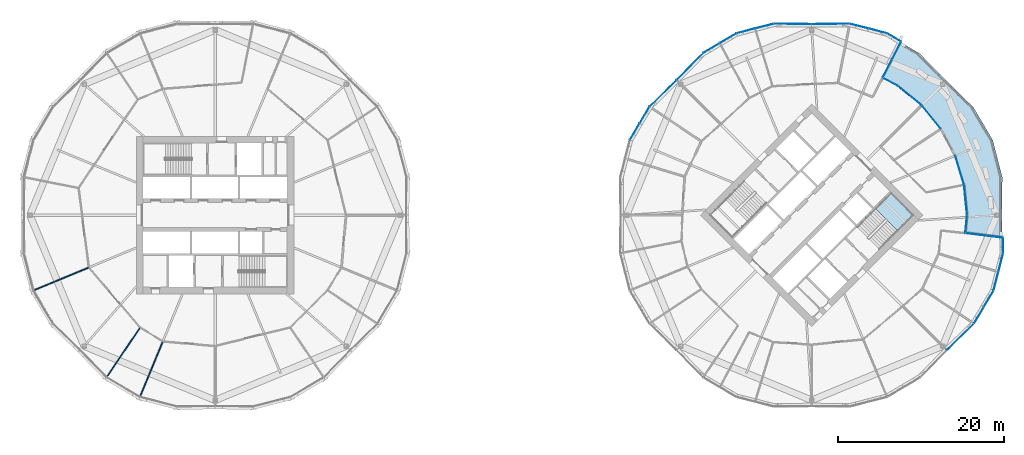
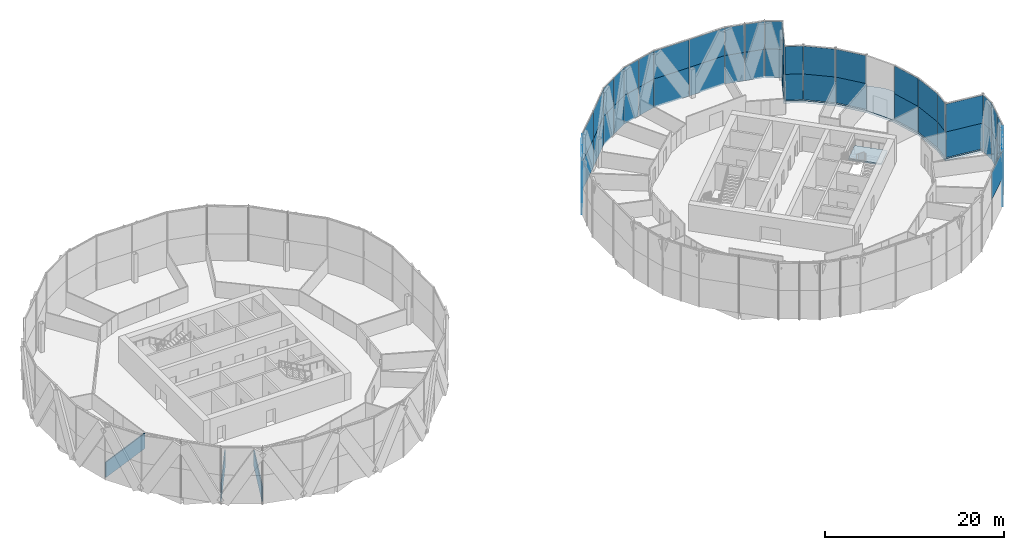
# One storey, part 18 of 27: 55 plates, 3 walls, 2 slabs, 10 elements without a shape of their own.
"""IFC4 building model written with IfcOpenShell, lengths in metres."""

from ifc_helpers import new_model, si_unit, direction, frame, frame_2d, origin, origin_2d, place, context, subcontext, project, spatial, polyline, rectangle, outline, extrude, material, layer, layer_set, type_object, element, aggregate, save


model = new_model("IFC4")

# Units and contexts
model_context = context("Model", 3, precision=1e-05, world=origin(), true_north=direction((0.0, 1.0)))
body_context = subcontext(model_context, "Body", "Model", "MODEL_VIEW")
ifc_project = project(units=[si_unit("LENGTHUNIT", "METRE"), si_unit("AREAUNIT", "SQUARE_METRE"), si_unit("VOLUMEUNIT", "CUBIC_METRE"), si_unit("PLANEANGLEUNIT", "RADIAN"), si_unit("MASSUNIT", "GRAM", prefix="KILO")], contexts=[model_context])

# Site, building, storey
site_placement = place(None, origin())
site = spatial("IfcSite", under=ifc_project, at=site_placement, CompositionType="ELEMENT")
building_placement = place(site_placement, origin())
building = spatial("IfcBuilding", under=site, at=building_placement, Name="Ogive Gate Towers", CompositionType="ELEMENT")
storey_placement = place(building_placement, frame((0.0, 0.0, 123.0)))
storey = spatial("IfcBuildingStorey", under=building, at=storey_placement, Name="L29", CompositionType="ELEMENT", Elevation=123.0)

# Curtain wall, plates
ifc_material_1 = material(Name="Pale metal aluminium", Category="aluminium")
curtain_wall_type_1 = type_object("IfcCurtainWallType", Name="Sky garden glazing", PredefinedType="NOTDEFINED", material=ifc_material_1)
curtain_wall_1_placement = place(storey_placement, origin())
curtain_wall_1 = element("IfcCurtainWall", 1, at=curtain_wall_1_placement, inside=storey, type_object=curtain_wall_type_1, Name="CW4 T2 ECW01", PredefinedType="NOTDEFINED")
ifc_material_2 = material(Name="Clear glass", Category="glass")
ifc_layer_1 = layer(ifc_material_2, 0.028076171875)
ifc_layer_set_1 = layer_set([ifc_layer_1], Name="Sky garden glazing glass panel")
plate_type_1 = type_object("IfcPlateType", Name="Sky garden glazing glass panel", PredefinedType="CURTAIN_PANEL", material=ifc_layer_set_1)
plate_1_placement = place(storey_placement, frame((50.424560546875, 11.837890625, 0.095947265625), z_axis=(0.0, 0.0, 1.0), x_axis=(0.634393284164, -0.773010453363, 0.0)))
plate_1 = element("IfcPlate", 2, at=plate_1_placement, type_object=plate_type_1, Name="CW4 glass panel", PredefinedType="CURTAIN_PANEL", context=body_context, shape_type="SweptSolid", body=[
    extrude(rectangle(XDim=3.6318359375, YDim=0.028076171875, at=origin_2d()), origin(), (0.0, 0.0, 1.0), 3.50390625),
])
plate_2_placement = place(storey_placement, frame((50.424560546875, 11.837890625, 3.60009765625), z_axis=(0.0, 0.0, 1.0), x_axis=(0.634393284164, -0.773010453363, 0.0)))
plate_2 = element("IfcPlate", 3, at=plate_2_placement, type_object=plate_type_1, Name="CW4 glass panel", PredefinedType="CURTAIN_PANEL", context=body_context, shape_type="SweptSolid", body=[
    extrude(rectangle(XDim=3.6318359375, YDim=0.028076171875, at=origin_2d()), origin(), (0.0, 0.0, 1.0), 3.803955078125),
])
aggregate(curtain_wall_1, [plate_1, plate_2])

curtain_wall_2_placement = place(storey_placement, origin())
curtain_wall_2 = element("IfcCurtainWall", 4, at=curtain_wall_2_placement, inside=storey, type_object=curtain_wall_type_1, Name="CW4 T2 ECW01b", PredefinedType="NOTDEFINED")
plate_3_placement = place(storey_placement, frame((53.856201171875, 5.41845703125, 0.095947265625), z_axis=(0.0, 0.0, 1.0), x_axis=(0.290284677254, -0.956940335732, 0.0)))
plate_3 = element("IfcPlate", 5, at=plate_3_placement, type_object=plate_type_1, Name="CW4 glass panel", PredefinedType="CURTAIN_PANEL", context=body_context, shape_type="SweptSolid", body=[
    extrude(rectangle(XDim=3.62841796875, YDim=0.028076171875, at=origin_2d()), origin(), (0.0, 0.0, 1.0), 3.50390625),
])
plate_4_placement = place(storey_placement, frame((53.856201171875, 5.41845703125, 3.60009765625), z_axis=(0.0, 0.0, 1.0), x_axis=(0.290284677254, -0.956940335732, 0.0)))
plate_4 = element("IfcPlate", 6, at=plate_4_placement, type_object=plate_type_1, Name="CW4 glass panel", PredefinedType="CURTAIN_PANEL", context=body_context, shape_type="SweptSolid", body=[
    extrude(rectangle(XDim=3.62841796875, YDim=0.028076171875, at=origin_2d()), origin(), (0.0, 0.0, 1.0), 3.803955078125),
])
plate_5_placement = place(storey_placement, frame((54.570556640625, 1.827392578125, 0.095947265625), z_axis=(0.0, 0.0, 1.0), x_axis=(0.09801714033, -0.995184726672, 0.0)))
plate_5 = element("IfcPlate", 7, at=plate_5_placement, type_object=plate_type_1, Name="CW4 glass panel", PredefinedType="CURTAIN_PANEL", context=body_context, shape_type="SweptSolid", body=[
    extrude(rectangle(XDim=3.62841796875, YDim=0.028076171875, at=origin_2d()), origin(), (0.0, 0.0, 1.0), 3.50390625),
])
plate_6_placement = place(storey_placement, frame((54.570556640625, 1.827392578125, 3.60009765625), z_axis=(0.0, 0.0, 1.0), x_axis=(0.09801714033, -0.995184726672, 0.0)))
plate_6 = element("IfcPlate", 8, at=plate_6_placement, type_object=plate_type_1, Name="CW4 glass panel", PredefinedType="CURTAIN_PANEL", context=body_context, shape_type="SweptSolid", body=[
    extrude(rectangle(XDim=3.62841796875, YDim=0.028076171875, at=origin_2d()), origin(), (0.0, 0.0, 1.0), 3.803955078125),
])
aggregate(curtain_wall_2, [plate_3, plate_4, plate_5, plate_6])

curtain_wall_3_placement = place(storey_placement, origin())
curtain_wall_3 = element("IfcCurtainWall", 9, at=curtain_wall_3_placement, inside=storey, type_object=curtain_wall_type_1, Name="CW4 T2 ECW02", PredefinedType="NOTDEFINED")
plate_7_placement = place(storey_placement, frame((45.120361328125, 17.67919921875, 0.095947265625), z_axis=(0.0, 0.0, 1.0), x_axis=(-0.45399049974, -0.891006524188, 0.0)))
plate_7 = element("IfcPlate", 10, at=plate_7_placement, type_object=plate_type_1, Name="CW4 glass panel", PredefinedType="CURTAIN_PANEL", context=body_context, shape_type="SweptSolid", body=[
    extrude(rectangle(XDim=2.38671875, YDim=0.028076171875, at=origin_2d()), origin(), (0.0, 0.0, 1.0), 3.50390625),
])
plate_8_placement = place(storey_placement, frame((45.120361328125, 17.67919921875, 3.60009765625), z_axis=(0.0, 0.0, 1.0), x_axis=(-0.45399049974, -0.891006524188, 0.0)))
plate_8 = element("IfcPlate", 11, at=plate_8_placement, type_object=plate_type_1, Name="CW4 glass panel", PredefinedType="CURTAIN_PANEL", context=body_context, shape_type="SweptSolid", body=[
    extrude(rectangle(XDim=2.38671875, YDim=0.028076171875, at=origin_2d()), origin(), (0.0, 0.0, 1.0), 3.803955078125),
])
plate_9_placement = place(storey_placement, frame((45.49462890625, 16.08349609375, 0.095947265625), z_axis=(0.0, 0.0, 1.0), x_axis=(0.881929491639, -0.471381344324, 0.0)))
plate_9 = element("IfcPlate", 12, at=plate_9_placement, type_object=plate_type_1, Name="CW4 glass panel", PredefinedType="CURTAIN_PANEL", context=body_context, shape_type="SweptSolid", body=[
    extrude(rectangle(XDim=2.041015625, YDim=0.028076171875, at=origin_2d()), origin(), (0.0, 0.0, 1.0), 3.50390625),
])
plate_10_placement = place(storey_placement, frame((45.49462890625, 16.08349609375, 3.60009765625), z_axis=(0.0, 0.0, 1.0), x_axis=(0.881929491639, -0.471381344324, 0.0)))
plate_10 = element("IfcPlate", 13, at=plate_10_placement, type_object=plate_type_1, Name="CW4 glass panel", PredefinedType="CURTAIN_PANEL", context=body_context, shape_type="SweptSolid", body=[
    extrude(rectangle(XDim=2.041015625, YDim=0.028076171875, at=origin_2d()), origin(), (0.0, 0.0, 1.0), 3.803955078125),
])
plate_11_placement = place(storey_placement, frame((47.839111328125, 14.423583984375, 0.095947265625), z_axis=(0.0, 0.0, 1.0), x_axis=(0.773010453363, -0.634393284164, 0.0)))
plate_11 = element("IfcPlate", 14, at=plate_11_placement, type_object=plate_type_1, Name="CW4 glass panel", PredefinedType="CURTAIN_PANEL", context=body_context, shape_type="SweptSolid", body=[
    extrude(rectangle(XDim=3.62841796875, YDim=0.028076171875, at=origin_2d()), origin(), (0.0, 0.0, 1.0), 3.50390625),
])
plate_12_placement = place(storey_placement, frame((47.839111328125, 14.423583984375, 3.60009765625), z_axis=(0.0, 0.0, 1.0), x_axis=(0.773010453363, -0.634393284164, 0.0)))
plate_12 = element("IfcPlate", 15, at=plate_12_placement, type_object=plate_type_1, Name="CW4 glass panel", PredefinedType="CURTAIN_PANEL", context=body_context, shape_type="SweptSolid", body=[
    extrude(rectangle(XDim=3.62841796875, YDim=0.028076171875, at=origin_2d()), origin(), (0.0, 0.0, 1.0), 3.803955078125),
])
aggregate(curtain_wall_3, [plate_7, plate_8, plate_9, plate_10, plate_11, plate_12])

curtain_wall_4_placement = place(storey_placement, origin())
curtain_wall_4 = element("IfcCurtainWall", 16, at=curtain_wall_4_placement, inside=storey, type_object=curtain_wall_type_1, Name="CW4 T2 ECW03", PredefinedType="NOTDEFINED")
plate_13_placement = place(storey_placement, frame((54.64404296875, -1.079833984375, 0.095947265625), z_axis=(0.0, 0.0, 1.0), x_axis=(-0.09805187877, -0.995181304622, 0.0)))
plate_13 = element("IfcPlate", 17, at=plate_13_placement, type_object=plate_type_1, Name="CW4 glass panel", PredefinedType="CURTAIN_PANEL", context=body_context, shape_type="SweptSolid", body=[
    extrude(rectangle(XDim=2.126220703125, YDim=0.028076171875, at=origin_2d()), origin(), (0.0, 0.0, 1.0), 3.50390625),
])
plate_14_placement = place(storey_placement, frame((54.64404296875, -1.079833984375, 3.60009765625), z_axis=(0.0, 0.0, 1.0), x_axis=(-0.09805187877, -0.995181304622, 0.0)))
plate_14 = element("IfcPlate", 18, at=plate_14_placement, type_object=plate_type_1, Name="CW4 glass panel", PredefinedType="CURTAIN_PANEL", context=body_context, shape_type="SweptSolid", body=[
    extrude(rectangle(XDim=2.126220703125, YDim=0.028076171875, at=origin_2d()), origin(), (0.0, 0.0, 1.0), 3.803955078125),
])
plate_15_placement = place(storey_placement, frame((56.815673828125, -2.455078125, 0.095947265625), z_axis=(0.0, 0.0, 1.0), x_axis=(0.992544024469, -0.121886666585, 0.0)))
plate_15 = element("IfcPlate", 19, at=plate_15_placement, type_object=plate_type_1, Name="CW4 glass panel", PredefinedType="CURTAIN_PANEL", context=body_context, shape_type="SweptSolid", body=[
    extrude(rectangle(XDim=4.517822265625, YDim=0.028076171875, at=origin_2d()), origin(), (0.0, 0.0, 1.0), 3.50390625),
])
plate_16_placement = place(storey_placement, frame((56.815673828125, -2.455078125, 3.60009765625), z_axis=(0.0, 0.0, 1.0), x_axis=(0.992544024469, -0.121886666585, 0.0)))
plate_16 = element("IfcPlate", 20, at=plate_16_placement, type_object=plate_type_1, Name="CW4 glass panel", PredefinedType="CURTAIN_PANEL", context=body_context, shape_type="SweptSolid", body=[
    extrude(rectangle(XDim=4.517822265625, YDim=0.028076171875, at=origin_2d()), origin(), (0.0, 0.0, 1.0), 3.803955078125),
])
aggregate(curtain_wall_4, [plate_13, plate_14, plate_15, plate_16])

# Stair, slab
ifc_material_3 = material(Name="Concrete C40/50", Category="concrete")
stair_type = type_object("IfcStairType", Name="Escape stair 1840 wide", PredefinedType="HALF_TURN_STAIR", material=ifc_material_3)
stair_placement = place(storey_placement, origin())
stair = element("IfcStair", 21, at=stair_placement, inside=storey, type_object=stair_type, Name="L29 Escape stair 2", PredefinedType="HALF_TURN_STAIR")
ifc_layer_2 = layer(ifc_material_3, 0.199951171875)
ifc_layer_set_2 = layer_set([ifc_layer_2], Name="Stair landing 200 mm")
slab_type_1 = type_object("IfcSlabType", Name="Stair landing 200 mm", PredefinedType="LANDING", material=ifc_layer_set_2)
slab_1_placement = place(storey_placement, frame((0.0, 0.0, 1.75)))
slab_1 = element("IfcSlab", 22, at=slab_1_placement, type_object=slab_type_1, Name="ST2 landing 1", PredefinedType="LANDING", context=body_context, shape_type="SweptSolid", body=[
    extrude(outline(polyline([(46.3955078125, -1.908203125), (48.3037109375, 0.0), (45.598876953125, 2.70458984375), (43.690673828125, 0.79638671875), (46.3955078125, -1.908203125)])), origin(), (0.0, 0.0, 1.0), 0.199951171875),
])
aggregate(stair, [slab_1])

# Slab
ifc_material_4 = material(Name="Concrete C35/45", Category="concrete")
ifc_layer_3 = layer(ifc_material_4, 0.300048828125)
ifc_layer_set_3 = layer_set([ifc_layer_3], Name="Terrace slab 300")
slab_type_2 = type_object("IfcSlabType", Name="Terrace slab 300", PredefinedType="FLOOR", material=ifc_layer_set_3)
slab_2_placement = place(storey_placement, frame((0.0, 0.0, -0.300048828125)))
element("IfcSlab", 23, at=slab_2_placement, inside=storey, type_object=slab_type_2, Name="T2/L29/SSL002", PredefinedType="FLOOR", context=body_context, shape_type="SweptSolid", body=[
    extrude(outline(polyline([(54.42724609375, -2.262451171875), (58.98046875, -2.821533203125), (58.949951171875, 0.0), (58.99951171875, 4.574951171875), (57.849853515625, 9.050537109375), (55.498046875, 13.028076171875), (52.22802734375, 16.22802734375), (49.028076171875, 19.498046875), (46.65087890625, 20.903564453125), (44.427734375, 16.54052734375), (46.361328125, 15.5068359375), (49.1875, 13.1875), (51.5068359375, 10.361328125), (53.23046875, 7.136962890625), (54.291748046875, 3.638427734375), (54.64990234375, 0.0), (54.42724609375, -2.262451171875)])), origin(), (0.0, 0.0, 1.0), 0.300048828125),
])

# Curtain wall, plates
curtain_wall_type_2 = type_object("IfcCurtainWallType", Name="Tower unitised wall, low zone", PredefinedType="NOTDEFINED", material=ifc_material_1)
curtain_wall_5_placement = place(storey_placement, origin())
curtain_wall_5 = element("IfcCurtainWall", 24, at=curtain_wall_5_placement, inside=storey, type_object=curtain_wall_type_2, Name="CW1 T2 ECW04", PredefinedType="NOTDEFINED")
ifc_layer_4 = layer(ifc_material_2, 0.028076171875)
ifc_layer_set_4 = layer_set([ifc_layer_4], Name="Tower unitised wall, low zone glass panel")
plate_type_2 = type_object("IfcPlateType", Name="Tower unitised wall, low zone glass panel", PredefinedType="CURTAIN_PANEL", material=ifc_layer_set_4)
plate_17_placement = place(storey_placement, frame((38.29150390625, 23.07470703125, -0.300048828125), z_axis=(0.0, 0.0, 1.0), x_axis=(0.999941453103, 0.010820830182, 0.0)))
plate_17 = element("IfcPlate", 25, at=plate_17_placement, type_object=plate_type_2, Name="CW1 glass panel", PredefinedType="CURTAIN_PANEL", context=body_context, shape_type="SweptSolid", body=[
    extrude(rectangle(XDim=4.529296875, YDim=0.028076171875, at=origin_2d()), origin(), (0.0, 0.0, 1.0), 3.89990234375),
])
plate_18_placement = place(storey_placement, frame((38.29150390625, 23.07470703125, 3.60009765625), z_axis=(0.0, 0.0, 1.0), x_axis=(0.999941453103, 0.010820830182, 0.0)))
plate_18 = element("IfcPlate", 26, at=plate_18_placement, type_object=plate_type_2, Name="CW1 glass panel", PredefinedType="CURTAIN_PANEL", context=body_context, shape_type="SweptSolid", body=[
    extrude(rectangle(XDim=4.529296875, YDim=0.028076171875, at=origin_2d()), origin(), (0.0, 0.0, 1.0), 3.803955078125),
])
plate_19_placement = place(storey_placement, frame((41.71435546875, 22.81005859375, -0.300048828125), z_axis=(0.0, 0.0, 1.0), x_axis=(0.968548428028, -0.248825124462, 0.0)))
plate_19 = element("IfcPlate", 27, at=plate_19_placement, type_object=plate_type_2, Name="CW1 glass panel", PredefinedType="CURTAIN_PANEL", context=body_context, shape_type="SweptSolid", body=[
    extrude(rectangle(XDim=2.266357421875, YDim=0.028076171875, at=origin_2d()), origin(), (0.0, 0.0, 1.0), 3.89990234375),
])
plate_20_placement = place(storey_placement, frame((41.71435546875, 22.81005859375, 3.60009765625), z_axis=(0.0, 0.0, 1.0), x_axis=(0.968548428028, -0.248825124462, 0.0)))
plate_20 = element("IfcPlate", 28, at=plate_20_placement, type_object=plate_type_2, Name="CW1 glass panel", PredefinedType="CURTAIN_PANEL", context=body_context, shape_type="SweptSolid", body=[
    extrude(rectangle(XDim=2.266357421875, YDim=0.028076171875, at=origin_2d()), origin(), (0.0, 0.0, 1.0), 3.803955078125),
])
plate_21_placement = place(storey_placement, frame((43.961669921875, 22.232666015625, -0.300048828125), z_axis=(0.0, 0.0, 1.0), x_axis=(0.968561455154, -0.248774411044, 0.0)))
plate_21 = element("IfcPlate", 29, at=plate_21_placement, type_object=plate_type_2, Name="CW1 glass panel", PredefinedType="CURTAIN_PANEL", context=body_context, shape_type="SweptSolid", body=[
    extrude(rectangle(XDim=2.26611328125, YDim=0.028076171875, at=origin_2d()), origin(), (0.0, 0.0, 1.0), 3.89990234375),
])
plate_22_placement = place(storey_placement, frame((43.961669921875, 22.232666015625, 3.60009765625), z_axis=(0.0, 0.0, 1.0), x_axis=(0.968561455154, -0.248774411044, 0.0)))
plate_22 = element("IfcPlate", 30, at=plate_22_placement, type_object=plate_type_2, Name="CW1 glass panel", PredefinedType="CURTAIN_PANEL", context=body_context, shape_type="SweptSolid", body=[
    extrude(rectangle(XDim=2.26611328125, YDim=0.028076171875, at=origin_2d()), origin(), (0.0, 0.0, 1.0), 3.803955078125),
])
plate_23_placement = place(storey_placement, frame((45.930908203125, 21.4453125, -0.300048828125), z_axis=(0.0, 0.0, 1.0), x_axis=(0.860795328977, -0.508951276265, 0.0)))
plate_23 = element("IfcPlate", 31, at=plate_23_placement, type_object=plate_type_2, Name="CW1 glass panel", PredefinedType="CURTAIN_PANEL", context=body_context, shape_type="SweptSolid", body=[
    extrude(rectangle(XDim=1.894287109375, YDim=0.028076171875, at=origin_2d()), origin(), (0.0, 0.0, 1.0), 3.89990234375),
])
plate_24_placement = place(storey_placement, frame((45.930908203125, 21.4453125, 3.60009765625), z_axis=(0.0, 0.0, 1.0), x_axis=(0.860795328977, -0.508951276265, 0.0)))
plate_24 = element("IfcPlate", 32, at=plate_24_placement, type_object=plate_type_2, Name="CW1 glass panel", PredefinedType="CURTAIN_PANEL", context=body_context, shape_type="SweptSolid", body=[
    extrude(rectangle(XDim=1.894287109375, YDim=0.028076171875, at=origin_2d()), origin(), (0.0, 0.0, 1.0), 3.803955078125),
])
plate_25_placement = place(storey_placement, frame((46.223876953125, 19.84521484375, -0.300048828125), z_axis=(0.0, 0.0, 1.0), x_axis=(-0.45399049974, -0.891006524188, 0.0)))
plate_25 = element("IfcPlate", 33, at=plate_25_placement, type_object=plate_type_2, Name="CW1 glass panel", PredefinedType="CURTAIN_PANEL", context=body_context, shape_type="SweptSolid", body=[
    extrude(rectangle(XDim=2.377197265625, YDim=0.028076171875, at=origin_2d()), origin(), (0.0, 0.0, 1.0), 3.89990234375),
])
plate_26_placement = place(storey_placement, frame((46.223876953125, 19.84521484375, 3.60009765625), z_axis=(0.0, 0.0, 1.0), x_axis=(-0.45399049974, -0.891006524188, 0.0)))
plate_26 = element("IfcPlate", 34, at=plate_26_placement, type_object=plate_type_2, Name="CW1 glass panel", PredefinedType="CURTAIN_PANEL", context=body_context, shape_type="SweptSolid", body=[
    extrude(rectangle(XDim=2.377197265625, YDim=0.028076171875, at=origin_2d()), origin(), (0.0, 0.0, 1.0), 3.803955078125),
])
aggregate(curtain_wall_5, [plate_17, plate_18, plate_19, plate_20, plate_21, plate_22, plate_23, plate_24, plate_25, plate_26])

curtain_wall_6_placement = place(storey_placement, origin())
curtain_wall_6 = element("IfcCurtainWall", 35, at=curtain_wall_6_placement, inside=storey, type_object=curtain_wall_type_2, Name="CW1 T2 ECW05", PredefinedType="NOTDEFINED")
plate_27_placement = place(storey_placement, frame((21.30419921875, 17.936767578125, -0.300048828125), z_axis=(0.0, 0.0, 1.0), x_axis=(0.699426373935, 0.714704657494, 0.0)))
plate_27 = element("IfcPlate", 36, at=plate_27_placement, type_object=plate_type_2, Name="CW1 glass panel", PredefinedType="CURTAIN_PANEL", context=body_context, shape_type="SweptSolid", body=[
    extrude(rectangle(XDim=4.529296875, YDim=0.028076171875, at=origin_2d()), origin(), (0.0, 0.0, 1.0), 3.89990234375),
])
plate_28_placement = place(storey_placement, frame((21.30419921875, 17.936767578125, 3.60009765625), z_axis=(0.0, 0.0, 1.0), x_axis=(0.699426373935, 0.714704657494, 0.0)))
plate_28 = element("IfcPlate", 37, at=plate_28_placement, type_object=plate_type_2, Name="CW1 glass panel", PredefinedType="CURTAIN_PANEL", context=body_context, shape_type="SweptSolid", body=[
    extrude(rectangle(XDim=4.529296875, YDim=0.028076171875, at=origin_2d()), origin(), (0.0, 0.0, 1.0), 3.803955078125),
])
plate_29_placement = place(storey_placement, frame((23.91162109375, 20.169677734375, -0.300048828125), z_axis=(0.0, 0.0, 1.0), x_axis=(0.860804211721, 0.508936252475, 0.0)))
plate_29 = element("IfcPlate", 38, at=plate_29_placement, type_object=plate_type_2, Name="CW1 glass panel", PredefinedType="CURTAIN_PANEL", context=body_context, shape_type="SweptSolid", body=[
    extrude(rectangle(XDim=2.266357421875, YDim=0.028076171875, at=origin_2d()), origin(), (0.0, 0.0, 1.0), 3.89990234375),
])
plate_30_placement = place(storey_placement, frame((23.91162109375, 20.169677734375, 3.60009765625), z_axis=(0.0, 0.0, 1.0), x_axis=(0.860804211721, 0.508936252475, 0.0)))
plate_30 = element("IfcPlate", 39, at=plate_30_placement, type_object=plate_type_2, Name="CW1 glass panel", PredefinedType="CURTAIN_PANEL", context=body_context, shape_type="SweptSolid", body=[
    extrude(rectangle(XDim=2.266357421875, YDim=0.028076171875, at=origin_2d()), origin(), (0.0, 0.0, 1.0), 3.803955078125),
])
plate_31_placement = place(storey_placement, frame((25.908935546875, 21.3505859375, -0.300048828125), z_axis=(0.0, 0.0, 1.0), x_axis=(0.86078644597, 0.5089662999, 0.0)))
plate_31 = element("IfcPlate", 40, at=plate_31_placement, type_object=plate_type_2, Name="CW1 glass panel", PredefinedType="CURTAIN_PANEL", context=body_context, shape_type="SweptSolid", body=[
    extrude(rectangle(XDim=2.26611328125, YDim=0.028076171875, at=origin_2d()), origin(), (0.0, 0.0, 1.0), 3.89990234375),
])
plate_32_placement = place(storey_placement, frame((25.908935546875, 21.3505859375, 3.60009765625), z_axis=(0.0, 0.0, 1.0), x_axis=(0.86078644597, 0.5089662999, 0.0)))
plate_32 = element("IfcPlate", 41, at=plate_32_placement, type_object=plate_type_2, Name="CW1 glass panel", PredefinedType="CURTAIN_PANEL", context=body_context, shape_type="SweptSolid", body=[
    extrude(rectangle(XDim=2.26611328125, YDim=0.028076171875, at=origin_2d()), origin(), (0.0, 0.0, 1.0), 3.803955078125),
])
plate_33_placement = place(storey_placement, frame((28.038330078125, 22.232666015625, -0.300048828125), z_axis=(0.0, 0.0, 1.0), x_axis=(0.968561455154, 0.248774411044, 0.0)))
plate_33 = element("IfcPlate", 42, at=plate_33_placement, type_object=plate_type_2, Name="CW1 glass panel", PredefinedType="CURTAIN_PANEL", context=body_context, shape_type="SweptSolid", body=[
    extrude(rectangle(XDim=2.26611328125, YDim=0.028076171875, at=origin_2d()), origin(), (0.0, 0.0, 1.0), 3.89990234375),
])
plate_34_placement = place(storey_placement, frame((28.038330078125, 22.232666015625, 3.60009765625), z_axis=(0.0, 0.0, 1.0), x_axis=(0.968561455154, 0.248774411044, 0.0)))
plate_34 = element("IfcPlate", 43, at=plate_34_placement, type_object=plate_type_2, Name="CW1 glass panel", PredefinedType="CURTAIN_PANEL", context=body_context, shape_type="SweptSolid", body=[
    extrude(rectangle(XDim=2.26611328125, YDim=0.028076171875, at=origin_2d()), origin(), (0.0, 0.0, 1.0), 3.803955078125),
])
plate_35_placement = place(storey_placement, frame((30.28564453125, 22.81005859375, -0.300048828125), z_axis=(0.0, 0.0, 1.0), x_axis=(0.968548428028, 0.248825124462, 0.0)))
plate_35 = element("IfcPlate", 44, at=plate_35_placement, type_object=plate_type_2, Name="CW1 glass panel", PredefinedType="CURTAIN_PANEL", context=body_context, shape_type="SweptSolid", body=[
    extrude(rectangle(XDim=2.266357421875, YDim=0.028076171875, at=origin_2d()), origin(), (0.0, 0.0, 1.0), 3.89990234375),
])
plate_36_placement = place(storey_placement, frame((30.28564453125, 22.81005859375, 3.60009765625), z_axis=(0.0, 0.0, 1.0), x_axis=(0.968548428028, 0.248825124462, 0.0)))
plate_36 = element("IfcPlate", 45, at=plate_36_placement, type_object=plate_type_2, Name="CW1 glass panel", PredefinedType="CURTAIN_PANEL", context=body_context, shape_type="SweptSolid", body=[
    extrude(rectangle(XDim=2.266357421875, YDim=0.028076171875, at=origin_2d()), origin(), (0.0, 0.0, 1.0), 3.803955078125),
])
plate_37_placement = place(storey_placement, frame((33.70849609375, 23.07470703125, -0.300048828125), z_axis=(0.0, 0.0, 1.0), x_axis=(0.999941453103, -0.010820830182, 0.0)))
plate_37 = element("IfcPlate", 46, at=plate_37_placement, type_object=plate_type_2, Name="CW1 glass panel", PredefinedType="CURTAIN_PANEL", context=body_context, shape_type="SweptSolid", body=[
    extrude(rectangle(XDim=4.529296875, YDim=0.028076171875, at=origin_2d()), origin(), (0.0, 0.0, 1.0), 3.89990234375),
])
plate_38_placement = place(storey_placement, frame((33.70849609375, 23.07470703125, 3.60009765625), z_axis=(0.0, 0.0, 1.0), x_axis=(0.999941453103, -0.010820830182, 0.0)))
plate_38 = element("IfcPlate", 47, at=plate_38_placement, type_object=plate_type_2, Name="CW1 glass panel", PredefinedType="CURTAIN_PANEL", context=body_context, shape_type="SweptSolid", body=[
    extrude(rectangle(XDim=4.529296875, YDim=0.028076171875, at=origin_2d()), origin(), (0.0, 0.0, 1.0), 3.803955078125),
])
aggregate(curtain_wall_6, [plate_27, plate_28, plate_29, plate_30, plate_31, plate_32, plate_33, plate_34, plate_35, plate_36, plate_37, plate_38])

curtain_wall_7_placement = place(storey_placement, origin())
curtain_wall_7 = element("IfcCurtainWall", 48, at=curtain_wall_7_placement, inside=storey, type_object=curtain_wall_type_2, Name="CW1 T2 ECW06", PredefinedType="NOTDEFINED")
plate_39_placement = place(storey_placement, frame((14.6494140625, 10.091064453125, -0.300048828125), z_axis=(0.0, 0.0, 1.0), x_axis=(0.5089662999, 0.86078644597, 0.0)))
plate_39 = element("IfcPlate", 49, at=plate_39_placement, type_object=plate_type_2, Name="CW1 glass panel", PredefinedType="CURTAIN_PANEL", context=body_context, shape_type="SweptSolid", body=[
    extrude(rectangle(XDim=2.26611328125, YDim=0.028076171875, at=origin_2d()), origin(), (0.0, 0.0, 1.0), 3.89990234375),
])
plate_40_placement = place(storey_placement, frame((14.6494140625, 10.091064453125, 3.60009765625), z_axis=(0.0, 0.0, 1.0), x_axis=(0.5089662999, 0.86078644597, 0.0)))
plate_40 = element("IfcPlate", 50, at=plate_40_placement, type_object=plate_type_2, Name="CW1 glass panel", PredefinedType="CURTAIN_PANEL", context=body_context, shape_type="SweptSolid", body=[
    extrude(rectangle(XDim=2.26611328125, YDim=0.028076171875, at=origin_2d()), origin(), (0.0, 0.0, 1.0), 3.803955078125),
])
plate_41_placement = place(storey_placement, frame((15.830322265625, 12.08837890625, -0.300048828125), z_axis=(0.0, 0.0, 1.0), x_axis=(0.508936252475, 0.860804211721, 0.0)))
plate_41 = element("IfcPlate", 51, at=plate_41_placement, type_object=plate_type_2, Name="CW1 glass panel", PredefinedType="CURTAIN_PANEL", context=body_context, shape_type="SweptSolid", body=[
    extrude(rectangle(XDim=2.266357421875, YDim=0.028076171875, at=origin_2d()), origin(), (0.0, 0.0, 1.0), 3.89990234375),
])
plate_42_placement = place(storey_placement, frame((15.830322265625, 12.08837890625, 3.60009765625), z_axis=(0.0, 0.0, 1.0), x_axis=(0.508936252475, 0.860804211721, 0.0)))
plate_42 = element("IfcPlate", 52, at=plate_42_placement, type_object=plate_type_2, Name="CW1 glass panel", PredefinedType="CURTAIN_PANEL", context=body_context, shape_type="SweptSolid", body=[
    extrude(rectangle(XDim=2.266357421875, YDim=0.028076171875, at=origin_2d()), origin(), (0.0, 0.0, 1.0), 3.803955078125),
])
plate_43_placement = place(storey_placement, frame((18.063232421875, 14.69580078125, -0.300048828125), z_axis=(0.0, 0.0, 1.0), x_axis=(0.714704657494, 0.699426373935, 0.0)))
plate_43 = element("IfcPlate", 53, at=plate_43_placement, type_object=plate_type_2, Name="CW1 glass panel", PredefinedType="CURTAIN_PANEL", context=body_context, shape_type="SweptSolid", body=[
    extrude(rectangle(XDim=4.529296875, YDim=0.028076171875, at=origin_2d()), origin(), (0.0, 0.0, 1.0), 3.89990234375),
])
plate_44_placement = place(storey_placement, frame((18.063232421875, 14.69580078125, 3.60009765625), z_axis=(0.0, 0.0, 1.0), x_axis=(0.714704657494, 0.699426373935, 0.0)))
plate_44 = element("IfcPlate", 54, at=plate_44_placement, type_object=plate_type_2, Name="CW1 glass panel", PredefinedType="CURTAIN_PANEL", context=body_context, shape_type="SweptSolid", body=[
    extrude(rectangle(XDim=4.529296875, YDim=0.028076171875, at=origin_2d()), origin(), (0.0, 0.0, 1.0), 3.803955078125),
])
aggregate(curtain_wall_7, [plate_39, plate_40, plate_41, plate_42, plate_43, plate_44])

curtain_wall_8_placement = place(storey_placement, origin())
curtain_wall_8 = element("IfcCurtainWall", 55, at=curtain_wall_8_placement, inside=storey, type_object=curtain_wall_type_2, Name="CW1 T2 ECW10", PredefinedType="NOTDEFINED")
plate_45_placement = place(storey_placement, frame((58.810546875, -5.71240234375, -0.300048828125), z_axis=(0.0, 0.0, 1.0), x_axis=(-0.248825124462, -0.968548428028, 0.0)))
plate_45 = element("IfcPlate", 56, at=plate_45_placement, type_object=plate_type_2, Name="CW1 glass panel", PredefinedType="CURTAIN_PANEL", context=body_context, shape_type="SweptSolid", body=[
    extrude(rectangle(XDim=2.27001953125, YDim=0.028076171875, at=origin_2d()), origin(), (0.0, 0.0, 1.0), 3.89990234375),
])
plate_46_placement = place(storey_placement, frame((58.810546875, -5.71240234375, 3.60009765625), z_axis=(0.0, 0.0, 1.0), x_axis=(-0.248825124462, -0.968548428028, 0.0)))
plate_46 = element("IfcPlate", 57, at=plate_46_placement, type_object=plate_type_2, Name="CW1 glass panel", PredefinedType="CURTAIN_PANEL", context=body_context, shape_type="SweptSolid", body=[
    extrude(rectangle(XDim=2.27001953125, YDim=0.028076171875, at=origin_2d()), origin(), (0.0, 0.0, 1.0), 3.803955078125),
])
plate_47_placement = place(storey_placement, frame((58.232666015625, -7.961669921875, -0.300048828125), z_axis=(0.0, 0.0, 1.0), x_axis=(-0.248774411044, -0.968561455154, 0.0)))
plate_47 = element("IfcPlate", 58, at=plate_47_placement, type_object=plate_type_2, Name="CW1 glass panel", PredefinedType="CURTAIN_PANEL", context=body_context, shape_type="SweptSolid", body=[
    extrude(rectangle(XDim=2.26611328125, YDim=0.028076171875, at=origin_2d()), origin(), (0.0, 0.0, 1.0), 3.89990234375),
])
plate_48_placement = place(storey_placement, frame((58.232666015625, -7.961669921875, 3.60009765625), z_axis=(0.0, 0.0, 1.0), x_axis=(-0.248774411044, -0.968561455154, 0.0)))
plate_48 = element("IfcPlate", 59, at=plate_48_placement, type_object=plate_type_2, Name="CW1 glass panel", PredefinedType="CURTAIN_PANEL", context=body_context, shape_type="SweptSolid", body=[
    extrude(rectangle(XDim=2.26611328125, YDim=0.028076171875, at=origin_2d()), origin(), (0.0, 0.0, 1.0), 3.803955078125),
])
plate_49_placement = place(storey_placement, frame((57.3505859375, -10.091064453125, -0.300048828125), z_axis=(0.0, 0.0, 1.0), x_axis=(-0.5089662999, -0.86078644597, 0.0)))
plate_49 = element("IfcPlate", 60, at=plate_49_placement, type_object=plate_type_2, Name="CW1 glass panel", PredefinedType="CURTAIN_PANEL", context=body_context, shape_type="SweptSolid", body=[
    extrude(rectangle(XDim=2.26611328125, YDim=0.028076171875, at=origin_2d()), origin(), (0.0, 0.0, 1.0), 3.89990234375),
])
plate_50_placement = place(storey_placement, frame((57.3505859375, -10.091064453125, 3.60009765625), z_axis=(0.0, 0.0, 1.0), x_axis=(-0.5089662999, -0.86078644597, 0.0)))
plate_50 = element("IfcPlate", 61, at=plate_50_placement, type_object=plate_type_2, Name="CW1 glass panel", PredefinedType="CURTAIN_PANEL", context=body_context, shape_type="SweptSolid", body=[
    extrude(rectangle(XDim=2.26611328125, YDim=0.028076171875, at=origin_2d()), origin(), (0.0, 0.0, 1.0), 3.803955078125),
])
plate_51_placement = place(storey_placement, frame((56.169677734375, -12.08837890625, -0.300048828125), z_axis=(0.0, 0.0, 1.0), x_axis=(-0.508936252475, -0.860804211721, 0.0)))
plate_51 = element("IfcPlate", 62, at=plate_51_placement, type_object=plate_type_2, Name="CW1 glass panel", PredefinedType="CURTAIN_PANEL", context=body_context, shape_type="SweptSolid", body=[
    extrude(rectangle(XDim=2.266357421875, YDim=0.028076171875, at=origin_2d()), origin(), (0.0, 0.0, 1.0), 3.89990234375),
])
plate_52_placement = place(storey_placement, frame((56.169677734375, -12.08837890625, 3.60009765625), z_axis=(0.0, 0.0, 1.0), x_axis=(-0.508936252475, -0.860804211721, 0.0)))
plate_52 = element("IfcPlate", 63, at=plate_52_placement, type_object=plate_type_2, Name="CW1 glass panel", PredefinedType="CURTAIN_PANEL", context=body_context, shape_type="SweptSolid", body=[
    extrude(rectangle(XDim=2.266357421875, YDim=0.028076171875, at=origin_2d()), origin(), (0.0, 0.0, 1.0), 3.803955078125),
])
plate_53_placement = place(storey_placement, frame((53.936767578125, -14.69580078125, 3.60009765625), z_axis=(0.0, 0.0, 1.0), x_axis=(-0.714704657494, -0.699426373935, 0.0)))
plate_53 = element("IfcPlate", 64, at=plate_53_placement, type_object=plate_type_2, Name="CW1 glass panel", PredefinedType="CURTAIN_PANEL", context=body_context, shape_type="SweptSolid", body=[
    extrude(rectangle(XDim=4.529296875, YDim=0.028076171875, at=origin_2d()), origin(), (0.0, 0.0, 1.0), 3.803955078125),
])
aggregate(curtain_wall_8, [plate_45, plate_46, plate_47, plate_48, plate_49, plate_50, plate_51, plate_52, plate_53])

curtain_wall_9_placement = place(storey_placement, origin())
curtain_wall_9 = element("IfcCurtainWall", 65, at=curtain_wall_9_placement, inside=storey, type_object=curtain_wall_type_2, Name="CW1 T2 ECW10b", PredefinedType="NOTDEFINED")
plate_54_placement = place(storey_placement, frame((59.089599609375, -3.66015625, -0.300048828125), z_axis=(0.0, 0.0, 1.0), x_axis=(0.010838282451, -0.999941264092, 0.0)))
plate_54 = element("IfcPlate", 66, at=plate_54_placement, type_object=plate_type_2, Name="CW1 glass panel", PredefinedType="CURTAIN_PANEL", context=body_context, shape_type="SweptSolid", body=[
    extrude(rectangle(XDim=1.800048828125, YDim=0.028076171875, at=origin_2d()), origin(), (0.0, 0.0, 1.0), 3.89990234375),
])
plate_55_placement = place(storey_placement, frame((59.089599609375, -3.66015625, 3.60009765625), z_axis=(0.0, 0.0, 1.0), x_axis=(0.010838282451, -0.999941264092, 0.0)))
plate_55 = element("IfcPlate", 67, at=plate_55_placement, type_object=plate_type_2, Name="CW1 glass panel", PredefinedType="CURTAIN_PANEL", context=body_context, shape_type="SweptSolid", body=[
    extrude(rectangle(XDim=1.800048828125, YDim=0.028076171875, at=origin_2d()), origin(), (0.0, 0.0, 1.0), 3.803955078125),
])
aggregate(curtain_wall_9, [plate_54, plate_55])

# Walls
ifc_material_5 = material(Name="Gypsum board partition")
ifc_layer_5 = layer(ifc_material_5, 0.125)
ifc_layer_set_5 = layer_set([ifc_layer_5], Name="Partition 125")
wall_type = type_object("IfcWallType", Name="Partition 125", PredefinedType="PARTITIONING", material=ifc_layer_set_5)
wall_1_placement = place(storey_placement, frame((-57.92578125, -9.081787109375, 0.0), z_axis=(0.0, 0.0, 1.0), x_axis=(0.923888990556, 0.382660597828, 0.0)))
element("IfcWall", 68, at=wall_1_placement, inside=storey, type_object=wall_type, Name="Partition T1-L29-008", PredefinedType="PARTITIONING", context=body_context, shape_type="SweptSolid", body=[
    extrude(rectangle(XDim=7.168701171875, YDim=0.125, at=frame_2d((3.58447265625, 0.0))), origin(), (0.0, 0.0, 1.0), 2.10009765625),
])
wall_2_placement = place(storey_placement, frame((-49.105224609375, -19.599609375, 0.0), z_axis=(0.0, 0.0, 1.0), x_axis=(0.555832041458, 0.831294617864, 0.0)))
element("IfcWall", 69, at=wall_2_placement, inside=storey, type_object=wall_type, Name="Partition T1-L29-009", PredefinedType="PARTITIONING", context=body_context, shape_type="SweptSolid", body=[
    extrude(rectangle(XDim=7.21435546875, YDim=0.125, at=frame_2d((3.607177734375, 0.0))), origin(), (0.0, 0.0, 1.0), 2.10009765625),
])
wall_3_placement = place(storey_placement, frame((-45.081787109375, -21.92578125, 0.0), z_axis=(0.0, 0.0, 1.0), x_axis=(0.382660597828, 0.923888990556, 0.0)))
element("IfcWall", 70, at=wall_3_placement, inside=storey, type_object=wall_type, Name="Partition T1-L29-010", PredefinedType="PARTITIONING", context=body_context, shape_type="SweptSolid", body=[
    extrude(rectangle(XDim=7.168701171875, YDim=0.125, at=frame_2d((3.58447265625, 0.0))), origin(), (0.0, 0.0, 1.0), 2.10009765625),
])

save(model, "model.ifc")
